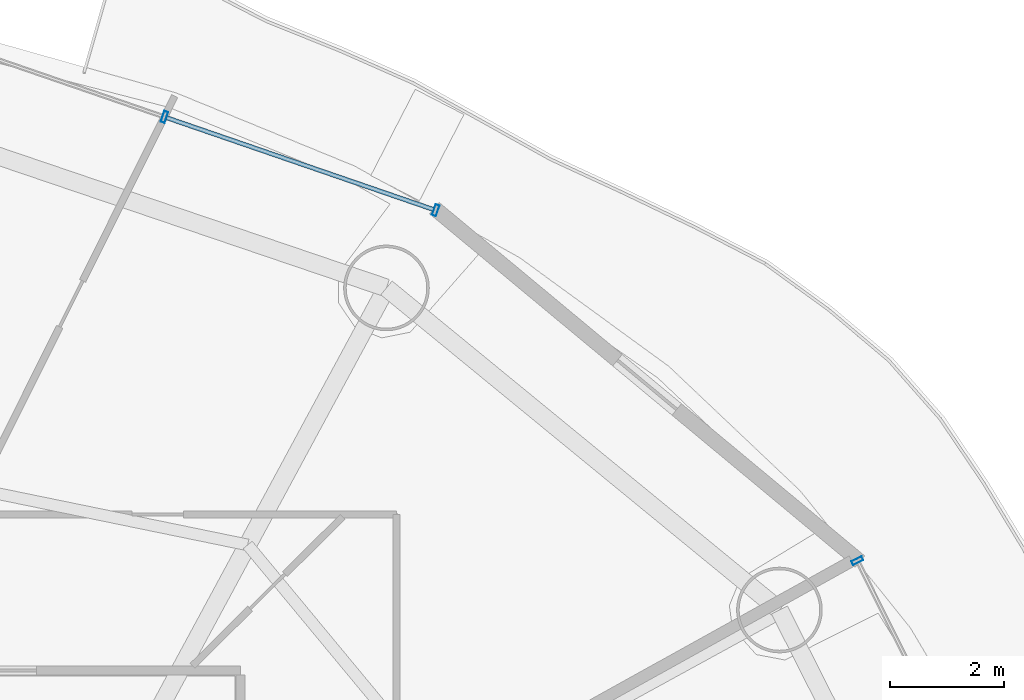
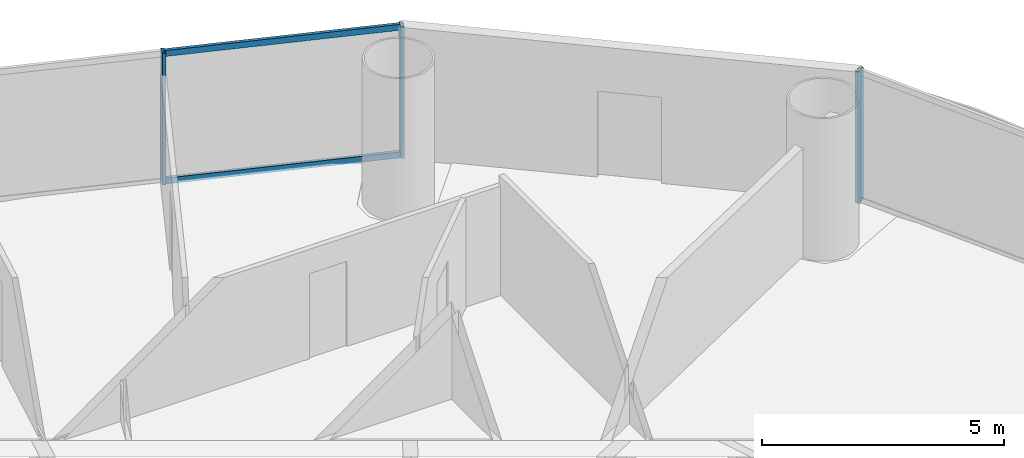
# One storey, part 20 of 29: 5 members, 2 elements without a shape of their own.
"""IFC4 building model written with IfcOpenShell, lengths in metres."""

import ifcopenshell
import ifcopenshell.guid

model = None  # the IFC model being written
_history = None  # IfcOwnerHistory: only IFC2X3 demands one
_inside = {}  # id of a spatial element -> (the spatial element, [elements in it])
_under = {}  # id of a project, library or spatial element -> (it, [spatial elements below it])
_declared = {}  # id of a project -> (the project, [libraries it declares])
_typed = {}  # id of a type object -> (the type object, [elements of that type])
_made_of = {}  # id of a material, layer set ... -> (it, [elements and type objects made of it])


def new_model(schema):
    """Start an empty IFC model of exactly this schema.

    Asked for "IFC4X3", IfcOpenShell would pick the latest addendum, in which some entities
    have other attributes; the version numbers below select the first issue.
    IFC2X3 requires an IfcOwnerHistory on every rooted entity: one is made here for all.
    """
    global model, _history
    if schema == "IFC4X3":
        model = ifcopenshell.file(schema_version=(4, 3, 0, 0))
    else:
        model = ifcopenshell.file(schema=schema)
    _inside.clear()
    _under.clear()
    _declared.clear()
    _typed.clear()
    _made_of.clear()
    _history = None
    if model.schema == "IFC2X3":
        org = make("IfcOrganization", Name="unknown")
        user = make(
            "IfcPersonAndOrganization",
            ThePerson=make("IfcPerson", FamilyName="unknown"),
            TheOrganization=org,
        )
        app = make(
            "IfcApplication",
            ApplicationDeveloper=org,
            Version="unknown",
            ApplicationFullName="unknown",
            ApplicationIdentifier="unknown",
        )
        _history = make(
            "IfcOwnerHistory",
            OwningUser=user,
            OwningApplication=app,
            ChangeAction="ADDED",
            CreationDate=0,
        )
    return model


def make(cls, **values):
    """One entity of the class cls with the attributes given. An attribute that is None is left unset."""
    return model.create_entity(
        cls, **{name: value for name, value in values.items() if value is not None}
    )


def rooted(cls, **values):
    """An entity with a GlobalId (a new one), such as an element, a storey or a relation."""
    return make(cls, GlobalId=ifcopenshell.guid.new(), OwnerHistory=_history, **values)


def si_unit(unit_type, name, prefix=None):
    """IfcSIUnit, for example si_unit("LENGTHUNIT", "METRE", prefix="MILLI")."""
    return make("IfcSIUnit", UnitType=unit_type, Prefix=prefix, Name=name)


def assignment(units):
    """IfcUnitAssignment: the units of a project."""
    return None if units is None else make("IfcUnitAssignment", Units=units)


def point(xyz):
    """IfcCartesianPoint."""
    return None if xyz is None else make("IfcCartesianPoint", Coordinates=xyz)


def direction(xyz):
    """IfcDirection."""
    return None if xyz is None else make("IfcDirection", DirectionRatios=xyz)


def frame(location, z_axis=None, x_axis=None):
    """IfcAxis2Placement3D, a coordinate frame: its origin and axes. An axis left out is left unset."""
    return make(
        "IfcAxis2Placement3D",
        Location=point(location),
        Axis=direction(z_axis),
        RefDirection=direction(x_axis),
    )


def frame_2d(location, x_axis=None):
    """IfcAxis2Placement2D, a coordinate frame in the plane: its origin and x axis."""
    return make(
        "IfcAxis2Placement2D", Location=point(location), RefDirection=direction(x_axis)
    )


def origin():
    """The frame at (0, 0, 0) with its axes left unset."""
    return frame((0.0, 0.0, 0.0))


def origin_2d():
    """The frame at (0, 0) in the plane with its x axis left unset."""
    return frame_2d((0.0, 0.0))


def place(relative_to, where):
    """IfcLocalPlacement: puts the frame where relative to a parent placement (None: the world)."""
    return make(
        "IfcLocalPlacement", PlacementRelTo=relative_to, RelativePlacement=where
    )


def context(
    kind, dimensions, precision=None, world=None, true_north=None, identifier=None
):
    """IfcGeometricRepresentationContext, for example the 3D "Model" context."""
    return make(
        "IfcGeometricRepresentationContext",
        ContextIdentifier=identifier,
        ContextType=kind,
        CoordinateSpaceDimension=dimensions,
        Precision=precision,
        WorldCoordinateSystem=world,
        TrueNorth=true_north,
    )


def subcontext(parent, identifier, kind, view, scale=None):
    """IfcGeometricRepresentationSubContext, for example "Body" below "Model"."""
    return make(
        "IfcGeometricRepresentationSubContext",
        ContextIdentifier=identifier,
        ContextType=kind,
        ParentContext=parent,
        TargetScale=scale,
        TargetView=view,
    )


def project(units=None, contexts=None):
    """IfcProject with its units and contexts."""
    return rooted(
        "IfcProject",
        Name="project",
        RepresentationContexts=contexts,
        UnitsInContext=assignment(units),
    )


def spatial(cls, under=None, at=None, **own):
    """A site, building, storey or space (cls), placed at a placement, below another one or the project."""
    s = rooted(cls, ObjectPlacement=at, **own)
    if under is not None:
        _under.setdefault(under.id(), (under, []))[1].append(s)
    return s


def profile(cls, at=None, kind="AREA", **sizes):
    """A parametric profile (cls). Its sizes go by their IFC names, for example OverallWidth=200.0."""
    return make(cls, ProfileType=kind, Position=at, **sizes)


def hollow_rectangle(**sizes):
    """IfcRectangleHollowProfileDef."""
    return profile("IfcRectangleHollowProfileDef", **sizes)


def extrude(swept, where, along, depth):
    """IfcExtrudedAreaSolid: the profile swept, set in the frame where, extruded along a direction by depth."""
    return make(
        "IfcExtrudedAreaSolid",
        SweptArea=swept,
        Position=where,
        ExtrudedDirection=direction(along),
        Depth=depth,
    )


def shape(context_of_items, identifier, shape_type, items):
    """IfcShapeRepresentation: the items that make up one representation, for example the "Body"."""
    return make(
        "IfcShapeRepresentation",
        ContextOfItems=context_of_items,
        RepresentationIdentifier=identifier,
        RepresentationType=shape_type,
        Items=items,
    )


def source(mapping_origin, context_of_items, identifier, shape_type, items):
    """IfcRepresentationMap: a shape defined once, which mapped items show again and again."""
    return make(
        "IfcRepresentationMap",
        MappingOrigin=mapping_origin,
        MappedRepresentation=shape(context_of_items, identifier, shape_type, items),
    )


def transform(
    local_origin,
    x_axis=None,
    y_axis=None,
    z_axis=None,
    scale=None,
    scale2=None,
    scale3=None,
    uniform=True,
):
    """IfcCartesianTransformationOperator3D, or its non-uniform kind. x_axis, y_axis, z_axis: its Axis1, 2, 3."""
    if uniform:
        return make(
            "IfcCartesianTransformationOperator3D",
            Axis1=direction(x_axis),
            Axis2=direction(y_axis),
            LocalOrigin=point(local_origin),
            Scale=scale,
            Axis3=direction(z_axis),
        )
    return make(
        "IfcCartesianTransformationOperator3DnonUniform",
        Axis1=direction(x_axis),
        Axis2=direction(y_axis),
        LocalOrigin=point(local_origin),
        Scale=scale,
        Axis3=direction(z_axis),
        Scale2=scale2,
        Scale3=scale3,
    )


def mapped(mapping_source, mapping_target):
    """IfcMappedItem: shows the shape of a source again, moved by a transform."""
    return make(
        "IfcMappedItem", MappingSource=mapping_source, MappingTarget=mapping_target
    )


def material(Name=None, Category=None):
    """IfcMaterial."""
    return make("IfcMaterial", Name=Name, Category=Category)


def material_profile(
    of_material, cross_section, Name=None, Category=None, Priority=None
):
    """IfcMaterialProfile: a cross section and its material."""
    return make(
        "IfcMaterialProfile",
        Name=Name,
        Material=of_material,
        Profile=cross_section,
        Priority=Priority,
        Category=Category,
    )


def profile_set(profiles, Name=None, composite=None):
    """IfcMaterialProfileSet."""
    return make(
        "IfcMaterialProfileSet",
        Name=Name,
        MaterialProfiles=profiles,
        CompositeProfile=composite,
    )


def made_of(thing, what):
    """Note that an element or type object is made of a material, layer set ...; save() writes the relation."""
    if what is not None:
        _made_of.setdefault(what.id(), (what, []))[1].append(thing)
    return thing


def type_object(cls, material=None, **own):
    """A type object (cls), such as IfcWallType, which elements share."""
    return made_of(rooted(cls, **own), material)


def element(
    cls,
    number,
    at=None,
    inside=None,
    cuts=None,
    type_object=None,
    material=None,
    context=None,
    identifier="Body",
    shape_type=None,
    held_by="IfcProductDefinitionShape",
    body=None,
    shapes=None,
    **own,
):
    """One element of the class cls, such as IfcWall. Its Tag is "e" and its number.

    at: its placement. inside: the storey or other place that contains it. cuts: it is an
    opening in that element (IfcRelVoidsElement). A single representation is given by context,
    identifier, shape_type and body (its items); several are given by shapes. held_by: the class
    of the entity that holds the representations. save() writes the other relations.
    """
    e = rooted(cls, Tag="e%d" % number, ObjectPlacement=at, **own)
    if body is not None:
        shapes = [shape(context, identifier, shape_type, body)]
    if shapes is not None:
        e.Representation = make(held_by, Representations=shapes)
    if inside is not None:
        _inside.setdefault(inside.id(), (inside, []))[1].append(e)
    if cuts is not None:
        rooted(
            "IfcRelVoidsElement", RelatingBuildingElement=cuts, RelatedOpeningElement=e
        )
    if type_object is not None:
        _typed.setdefault(type_object.id(), (type_object, []))[1].append(e)
    return made_of(e, material)


def aggregate(whole, parts):
    """IfcRelAggregates: a whole, such as a stair, and the parts it consists of."""
    return rooted("IfcRelAggregates", RelatingObject=whole, RelatedObjects=parts)


def save(model, path):
    """Write the relations noted so far, then the file.

    IfcRelAggregates (storeys below a building ...), IfcRelContainedInSpatialStructure (elements
    in a storey), IfcRelDefinesByType, IfcRelAssociatesMaterial and IfcRelDeclares: one each for
    every whole, place, type object, material and project.
    """
    for whole, parts in _under.values():
        aggregate(whole, parts)
    for where, things in _inside.values():
        rooted(
            "IfcRelContainedInSpatialStructure",
            RelatedElements=things,
            RelatingStructure=where,
        )
    for kind, things in _typed.values():
        rooted("IfcRelDefinesByType", RelatedObjects=things, RelatingType=kind)
    for what, things in _made_of.values():
        rooted("IfcRelAssociatesMaterial", RelatedObjects=things, RelatingMaterial=what)
    for by, libraries in _declared.values():
        rooted("IfcRelDeclares", RelatingContext=by, RelatedDefinitions=libraries)
    model.write(path)


model = new_model("IFC4")

# Units and contexts
model_context = context("Model", 3, precision=1e-05, world=origin(), true_north=direction((-0.2419218956, 0.970295726276)))
body_context = subcontext(model_context, "Body", "Model", "MODEL_VIEW")
ifc_project = project(units=[si_unit("LENGTHUNIT", "METRE"), si_unit("AREAUNIT", "SQUARE_METRE"), si_unit("VOLUMEUNIT", "CUBIC_METRE"), si_unit("PLANEANGLEUNIT", "RADIAN"), si_unit("MASSUNIT", "GRAM", prefix="KILO")], contexts=[model_context])

# Site, building, storey
site_placement = place(None, origin())
site = spatial("IfcSite", under=ifc_project, at=site_placement, CompositionType="ELEMENT")
building_placement = place(site_placement, origin())
building = spatial("IfcBuilding", under=site, at=building_placement, Name="Cobrevalo Terracotta Tower", CompositionType="ELEMENT")
storey_placement = place(building_placement, frame((0.0, 0.0, 97.800048828125)))
storey = spatial("IfcBuildingStorey", under=building, at=storey_placement, Name="L25", CompositionType="ELEMENT", Elevation=97.800048828125)

# Curtain wall, member
ifc_material = material(Name="Anodized aluminium", Category="aluminium")
curtain_wall_type = type_object("IfcCurtainWallType", Name="Lower-tower unitised acoustic low-E curtain wall CW-U1", PredefinedType="NOTDEFINED", material=ifc_material)
curtain_wall_1_placement = place(storey_placement, origin())
curtain_wall_1 = element("IfcCurtainWall", 1, at=curtain_wall_1_placement, inside=storey, type_object=curtain_wall_type, Name="L25 curtain wall CW-L25-S01", PredefinedType="NOTDEFINED")
ifc_material_profile_1 = material_profile(ifc_material, hollow_rectangle(XDim=0.074951171875, YDim=0.199951171875, WallThickness=0.0048828125, at=origin_2d()), Name="CWM 75x200")
ifc_profile_set_1 = profile_set([ifc_material_profile_1], Name="Anodized aluminium")
member_type_1 = type_object("IfcMemberType", Name="Lower/mid tower unitised mullion 75x200", PredefinedType="MULLION", material=ifc_profile_set_1)
shared_shape_1 = source(origin(), body_context, "Body", "SweptSolid", [
    extrude(hollow_rectangle(XDim=0.074951171875, YDim=0.199951171875, WallThickness=0.0048828125, at=origin_2d()), origin(), (0.0, 0.0, 1.0), 3.324951171875),
])
member_1_placement = place(storey_placement, frame((60.110107421875, 39.025634765625, 0.0), z_axis=(0.0, 0.0, 1.0), x_axis=(-0.446260290227, 0.894903208937, 0.0)))
member_1 = element("IfcMember", 2, at=member_1_placement, type_object=member_type_1, Name="CW-L25-S01 vertical mullion 03", PredefinedType="MULLION", context=body_context, shape_type="MappedRepresentation", body=[
    mapped(shared_shape_1, transform((0.0, 0.0, 0.0), scale=1.0)),
])
aggregate(curtain_wall_1, [member_1])

# Curtain wall, members
curtain_wall_2_placement = place(storey_placement, origin())
curtain_wall_2 = element("IfcCurtainWall", 3, at=curtain_wall_2_placement, inside=storey, type_object=curtain_wall_type, Name="L25 curtain wall CW-L25-S03", PredefinedType="NOTDEFINED")
member_2_placement = place(storey_placement, frame((52.7236328125, 45.16357421875, 0.0), z_axis=(0.0, 0.0, 1.0), x_axis=(-0.94559809868, 0.325337110968, 0.0)))
member_2 = element("IfcMember", 4, at=member_2_placement, type_object=member_type_1, Name="CW-L25-S03 vertical mullion 01", PredefinedType="MULLION", context=body_context, shape_type="MappedRepresentation", body=[
    mapped(shared_shape_1, transform((0.0, 0.0, 0.0), scale=1.0)),
])
member_3_placement = place(storey_placement, frame((47.972412109375, 46.79833984375, 0.0), z_axis=(0.0, 0.0, 1.0), x_axis=(-0.94559809868, 0.325337110968, 0.0)))
member_3 = element("IfcMember", 5, at=member_3_placement, type_object=member_type_1, Name="CW-L25-S03 vertical mullion 02", PredefinedType="MULLION", context=body_context, shape_type="MappedRepresentation", body=[
    mapped(shared_shape_1, transform((0.0, 0.0, 0.0), scale=1.0)),
])
ifc_material_profile_2 = material_profile(ifc_material, hollow_rectangle(XDim=0.074951171875, YDim=0.14990234375, WallThickness=0.00439453125, at=origin_2d()), Name="CWT 75x150")
ifc_profile_set_2 = profile_set([ifc_material_profile_2], Name="Anodized aluminium")
member_type_2 = type_object("IfcMemberType", Name="Tower unitised aluminium transom 75x150", PredefinedType="USERDEFINED", material=ifc_profile_set_2)
shared_shape_2 = source(origin(), body_context, "Body", "SweptSolid", [
    extrude(hollow_rectangle(XDim=0.074951171875, YDim=0.14990234375, WallThickness=0.00439453125, at=origin_2d()), origin(), (0.0, 0.0, 1.0), 4.944580078125),
])
member_4_placement = place(storey_placement, frame((52.685791015625, 45.176513671875, 0.050048828125), z_axis=(-0.945597859971, 0.32533780478, 0.0), x_axis=(-0.32533780478, -0.945597859971, 0.0)))
member_4 = element("IfcMember", 6, at=member_4_placement, type_object=member_type_2, Name="CW-L25-S03 transom B01-T1", ObjectType="TRANSOM", PredefinedType="USERDEFINED", context=body_context, shape_type="MappedRepresentation", body=[
    mapped(shared_shape_2, transform((0.0, 0.0, 0.0), scale=1.0)),
])
member_5_placement = place(storey_placement, frame((52.685791015625, 45.176513671875, 3.27490234375), z_axis=(-0.945597859971, 0.32533780478, 0.0), x_axis=(-0.32533780478, -0.945597859971, 0.0)))
member_5 = element("IfcMember", 7, at=member_5_placement, type_object=member_type_2, Name="CW-L25-S03 transom B01-T2", ObjectType="TRANSOM", PredefinedType="USERDEFINED", context=body_context, shape_type="MappedRepresentation", body=[
    mapped(shared_shape_2, transform((0.0, 0.0, 0.0), scale=1.0)),
])
aggregate(curtain_wall_2, [member_2, member_3, member_4, member_5])

save(model, "model.ifc")
